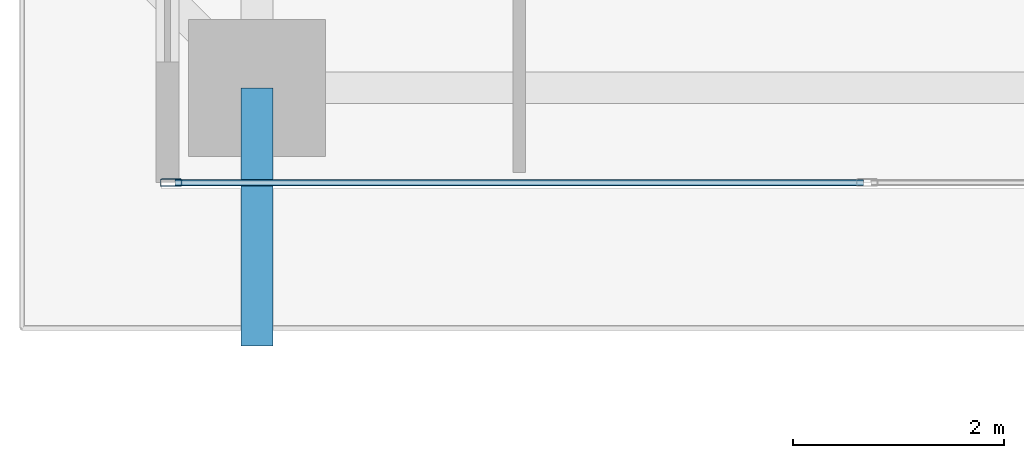
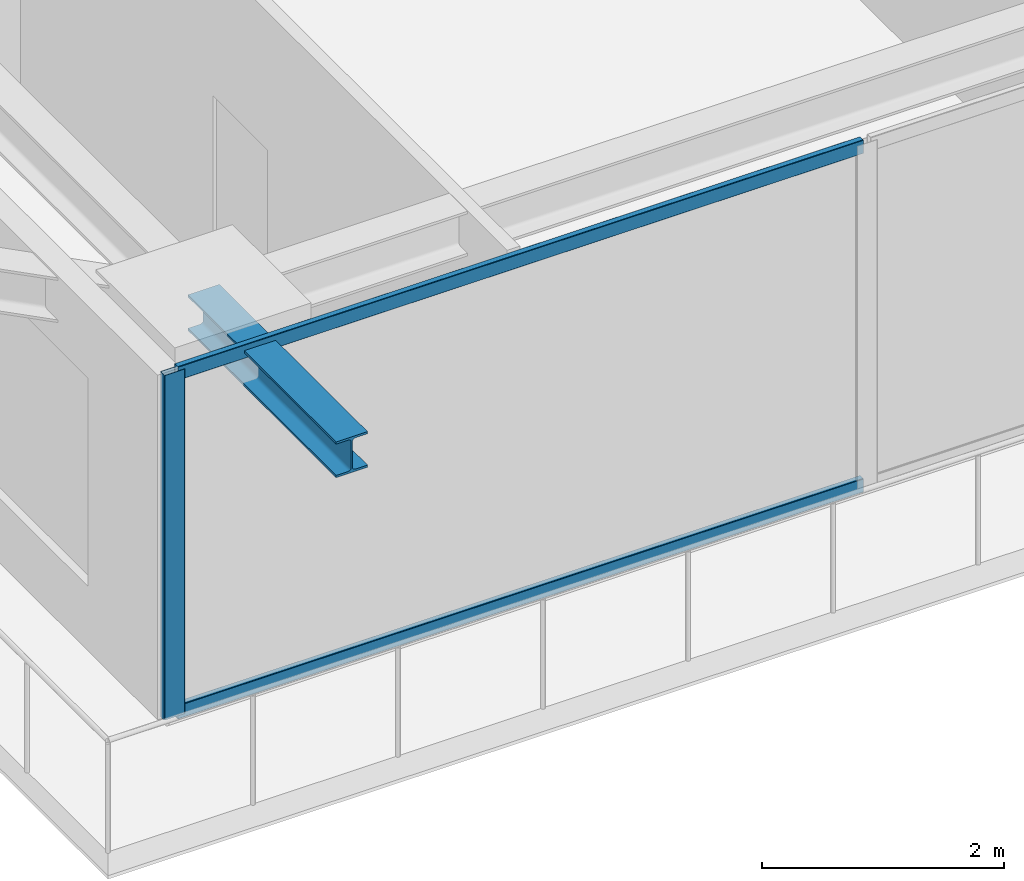
# One storey, part 2 of 37: 3 members, 1 beam, 1 element without a shape of its own.
"""IFC4 building model written with IfcOpenShell, lengths in metres."""

from ifc_helpers import new_model, si_unit, direction, frame, origin, origin_2d, place, context, subcontext, project, spatial, hollow_rectangle, i_section, extrude, source, transform, mapped, material, layer, layer_set, material_profile, profile_set, type_object, element, aggregate, save


model = new_model("IFC4")

# Units and contexts
model_context = context("Model", 3, precision=1e-05, world=origin(), true_north=direction((0.0, 1.0)))
body_context = subcontext(model_context, "Body", "Model", "MODEL_VIEW")
ifc_project = project(units=[si_unit("LENGTHUNIT", "METRE"), si_unit("AREAUNIT", "SQUARE_METRE"), si_unit("VOLUMEUNIT", "CUBIC_METRE"), si_unit("PLANEANGLEUNIT", "RADIAN"), si_unit("MASSUNIT", "GRAM", prefix="KILO")], contexts=[model_context])

# Site, building, storey
site_placement = place(None, origin())
site = spatial("IfcSite", under=ifc_project, at=site_placement, CompositionType="ELEMENT")
building_placement = place(site_placement, origin())
building = spatial("IfcBuilding", under=site, at=building_placement, Name="Serunith Strait Residences", CompositionType="ELEMENT")
storey_placement = place(building_placement, frame((0.0, 0.0, 138.89990234375)))
storey = spatial("IfcBuildingStorey", under=building, at=storey_placement, Name="L34", CompositionType="ELEMENT", Elevation=138.89990234375)

# Beam
ifc_material_1 = material(Name="Steel S355J2", Category="steel")
ifc_material_profile_1 = material_profile(ifc_material_1, i_section(OverallWidth=0.300048828125, OverallDepth=0.360107421875, WebThickness=0.012451171875, FlangeThickness=0.0224609375, FilletRadius=0.027099609375, at=origin_2d()), Name="HEB 360")
ifc_profile_set_1 = profile_set([ifc_material_profile_1], Name="Steel S355J2")
beam_type = type_object("IfcBeamType", Name="BM-HEB360", PredefinedType="BEAM", material=ifc_profile_set_1)
shared_shape_1 = source(origin(), body_context, "Body", "SweptSolid", [
    extrude(i_section(OverallWidth=0.300048828125, OverallDepth=0.360107421875, WebThickness=0.012451171875, FlangeThickness=0.0224609375, FilletRadius=0.027099609375, at=origin_2d()), origin(), (0.0, 0.0, 1.0), 2.44775390625),
])
beam_placement = place(storey_placement, frame((16.64990234375, 2.300048828125, 3.277099609375), z_axis=(0.0, -1.0, 0.0), x_axis=(1.0, 0.0, 0.0)))
element("IfcBeam", 1, at=beam_placement, inside=storey, type_object=beam_type, Name="L35 Cantilevered Balcony Rib TC-S1", PredefinedType="BEAM", context=body_context, shape_type="MappedRepresentation", body=[
    mapped(shared_shape_1, transform((0.0, 0.0, 0.0), scale=1.0)),
])

# Curtain wall, members
ifc_material_2 = material(Name="Pale-Champagne Anodised Aluminium", Category="aluminium")
ifc_layer = layer(ifc_material_2, 0.199951171875, Name="Pale-Champagne Anodised Aluminium")
ifc_layer_set = layer_set([ifc_layer], Name="Pale-Champagne Anodised Aluminium")
curtain_wall_type = type_object("IfcCurtainWallType", Name="CW-SYS2", PredefinedType="NOTDEFINED", material=ifc_layer_set)
curtain_wall_placement = place(storey_placement, origin())
curtain_wall = element("IfcCurtainWall", 2, at=curtain_wall_placement, inside=storey, type_object=curtain_wall_type, Name="L34 S Unitised Fritted Curtain Wall", PredefinedType="NOTDEFINED")
ifc_material_profile_2 = material_profile(ifc_material_2, hollow_rectangle(XDim=0.070068359375, YDim=0.199951171875, WallThickness=0.00390625, InnerFilletRadius=0.006103515625, OuterFilletRadius=0.010009765625, at=origin_2d()), Name="ALU 200x70x4")
ifc_profile_set_2 = profile_set([ifc_material_profile_2], Name="Pale-Champagne Anodised Aluminium")
member_type_1 = type_object("IfcMemberType", Name="CW-SYS2-MULL", PredefinedType="MULLION", material=ifc_profile_set_2)
shared_shape_2 = source(origin(), body_context, "Body", "SweptSolid", [
    extrude(hollow_rectangle(XDim=0.070068359375, YDim=0.199951171875, WallThickness=0.00390625, InnerFilletRadius=0.006103515625, OuterFilletRadius=0.010009765625, at=origin_2d()), origin(), (0.0, 0.0, 1.0), 3.47509765625),
])
member_1_placement = place(storey_placement, frame((15.8349609375, 1.39990234375, 0.0), z_axis=(0.0, 0.0, 1.0), x_axis=(0.0, 1.0, 0.0)))
member_1 = element("IfcMember", 3, at=member_1_placement, type_object=member_type_1, Name="CW-2 mullion 1", PredefinedType="MULLION", context=body_context, shape_type="MappedRepresentation", body=[
    mapped(shared_shape_2, transform((0.0, 0.0, 0.0), scale=1.0)),
])
ifc_material_profile_3 = material_profile(ifc_material_2, hollow_rectangle(XDim=0.06005859375, YDim=0.139892578125, WallThickness=0.00341796875, InnerFilletRadius=0.00537109375, OuterFilletRadius=0.0087890625, at=origin_2d()), Name="ALU 140x60x3.5")
ifc_profile_set_3 = profile_set([ifc_material_profile_3], Name="Pale-Champagne Anodised Aluminium")
member_type_2 = type_object("IfcMemberType", Name="CW-SYS2-TRAN", PredefinedType="USERDEFINED", material=ifc_profile_set_3)
shared_shape_3 = source(origin(), body_context, "Body", "SweptSolid", [
    extrude(hollow_rectangle(XDim=0.06005859375, YDim=0.139892578125, WallThickness=0.00341796875, InnerFilletRadius=0.00537109375, OuterFilletRadius=0.0087890625, at=origin_2d()), origin(), (0.0, 0.0, 1.0), 6.534912109375),
])
member_2_placement = place(storey_placement, frame((15.8701171875, 1.39990234375, 0.030029296875), z_axis=(1.0, 0.0, 0.0), x_axis=(0.0, 1.0, 0.0)))
member_2 = element("IfcMember", 4, at=member_2_placement, type_object=member_type_2, Name="CW-2 transom 1.1", ObjectType="TRANSOM", PredefinedType="USERDEFINED", context=body_context, shape_type="MappedRepresentation", body=[
    mapped(shared_shape_3, transform((0.0, 0.0, 0.0), scale=1.0)),
])
member_3_placement = place(storey_placement, frame((15.8701171875, 1.39990234375, 3.445068359375), z_axis=(1.0, 0.0, 0.0), x_axis=(0.0, 1.0, 0.0)))
member_3 = element("IfcMember", 5, at=member_3_placement, type_object=member_type_2, Name="CW-2 transom 1.2", ObjectType="TRANSOM", PredefinedType="USERDEFINED", context=body_context, shape_type="MappedRepresentation", body=[
    mapped(shared_shape_3, transform((0.0, 0.0, 0.0), scale=1.0)),
])
aggregate(curtain_wall, [member_1, member_2, member_3])

save(model, "model.ifc")
